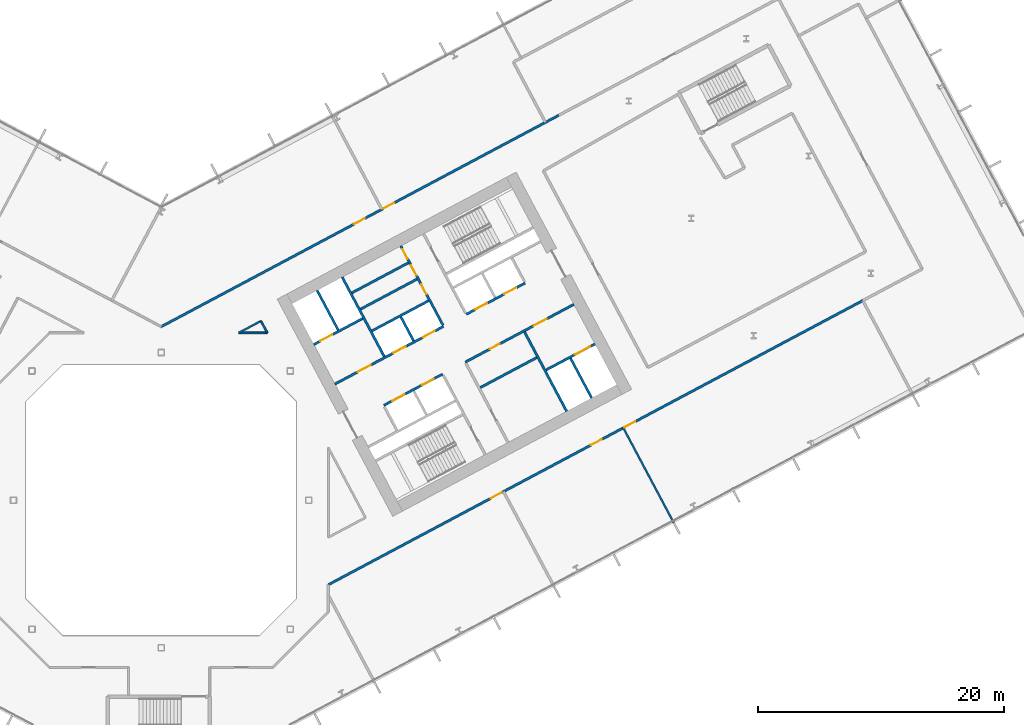
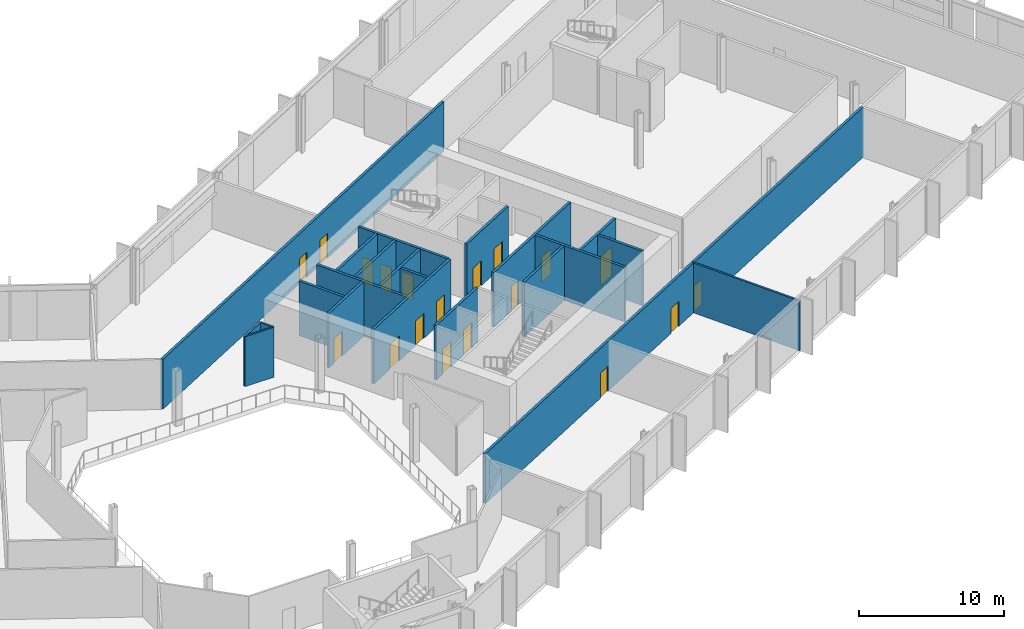
# One storey, part 17 of 30: 22 walls, 19 doors, 19 openings.
"""IFC4 building model written with IfcOpenShell, lengths in metres."""

from ifc_helpers import new_model, si_unit, direction, frame, frame_2d, origin, place, context, subcontext, project, spatial, rectangle, extrude, material, layer, layer_set, type_object, element, fill, save


model = new_model("IFC4")

# Units and contexts
model_context = context("Model", 3, precision=1e-05, world=origin(), true_north=direction((0.0, 1.0)))
body_context = subcontext(model_context, "Body", "Model", "MODEL_VIEW")
ifc_project = project(units=[si_unit("LENGTHUNIT", "METRE"), si_unit("AREAUNIT", "SQUARE_METRE"), si_unit("VOLUMEUNIT", "CUBIC_METRE"), si_unit("PLANEANGLEUNIT", "RADIAN"), si_unit("MASSUNIT", "GRAM", prefix="KILO")], contexts=[model_context])

# Site, building, storey
site_placement = place(None, origin())
site = spatial("IfcSite", under=ifc_project, at=site_placement, CompositionType="ELEMENT")
building_placement = place(site_placement, origin())
building = spatial("IfcBuilding", under=site, at=building_placement, Name="Cormorant Relay Tower", CompositionType="ELEMENT")
storey_placement = place(building_placement, frame((0.0, 0.0, 80.0)))
storey = spatial("IfcBuildingStorey", under=building, at=storey_placement, Name="L15", CompositionType="ELEMENT", Elevation=80.0)

# Walls
ifc_material_1 = material(Name="Concrete 40 MPa", Category="concrete")
ifc_layer_1 = layer(ifc_material_1, 0.199951171875)
ifc_layer_set_1 = layer_set([ifc_layer_1], Name="Core internal wall 200")
wall_type_1 = type_object("IfcWallType", Name="Core internal wall 200", PredefinedType="SOLIDWALL", material=ifc_layer_set_1)
wall_1_placement = place(storey_placement, frame((20.522216796875, 12.950439453125, 0.0), z_axis=(0.0, 0.0, 1.0), x_axis=(-0.469401318492, 0.882984938828, 0.0)))
element("IfcWall", 1, at=wall_1_placement, inside=storey, type_object=wall_type_1, Name="L15 core B shaft and room wall", PredefinedType="SOLIDWALL", context=body_context, shape_type="SweptSolid", body=[
    extrude(rectangle(XDim=2.199951171875, YDim=0.199951171875, at=frame_2d((1.10009765625, 0.0))), origin(), (0.0, 0.0, 1.0), 4.60009765625),
])
for number, where, z_axis, x_axis, name in (
    (2, (16.2080078125, 15.526611328125, 0.0), (0.0, 0.0, 1.0), (0.882953967957, 0.469459572775, 0.0), "L15 core B shaft and room wall"),
    (3, (15.503662109375, 16.85107421875, 0.0), (0.0, 0.0, 1.0), (0.882953967957, 0.469459572775, 0.0), "L15 core B shaft and room wall"),
):
    element("IfcWall", number, at=place(storey_placement, frame(where, z_axis=z_axis, x_axis=x_axis)), inside=storey, type_object=wall_type_1, Name=name, PredefinedType="SOLIDWALL", context=body_context, shape_type="SweptSolid", body=[
        extrude(rectangle(XDim=5.199951171875, YDim=0.199951171875, at=frame_2d((2.60009765625, 0.0))), origin(), (0.0, 0.0, 1.0), 4.60009765625),
    ])
ifc_material_2 = material(Name="Concrete 50 MPa", Category="concrete")
ifc_layer_2 = layer(ifc_material_2, 0.199951171875)
ifc_layer_set_2 = layer_set([ifc_layer_2], Name="Core shaft wall 200")
wall_type_2 = type_object("IfcWallType", Name="Core shaft wall 200", PredefinedType="SHEAR", material=ifc_layer_set_2)
wall_2_placement = place(storey_placement, frame((14.39404296875, 13.825927734375, 0.0), z_axis=(0.0, 0.0, 1.0), x_axis=(-0.469494272526, 0.882935517501, 0.0)))
element("IfcWall", 4, at=wall_2_placement, inside=storey, type_object=wall_type_2, Name="L15 core B shaft wall", PredefinedType="SHEAR", context=body_context, shape_type="SweptSolid", body=[
    extrude(rectangle(XDim=3.64990234375, YDim=0.199951171875, at=frame_2d((1.824951171875, 0.0))), origin(), (0.0, 0.0, 1.0), 4.60009765625),
])
wall_3_placement = place(storey_placement, frame((18.138427734375, 11.682861328125, 0.0), z_axis=(0.0, 0.0, 1.0), x_axis=(-0.469480409012, 0.88294288918, 0.0)))
element("IfcWall", 5, at=wall_3_placement, inside=storey, type_object=wall_type_2, Name="L15 core B shaft wall", PredefinedType="SHEAR", context=body_context, shape_type="SweptSolid", body=[
    extrude(rectangle(XDim=7.300048828125, YDim=0.199951171875, at=frame_2d((3.64990234375, 0.0))), origin(), (0.0, 0.0, 1.0), 4.60009765625),
])

# Wall, openings, doors
wall_4_placement = place(storey_placement, frame((22.90625, 14.218017578125, 0.0), z_axis=(0.0, 0.0, 1.0), x_axis=(-0.469480409012, 0.88294288918, 0.0)))
wall_4 = element("IfcWall", 6, at=wall_4_placement, inside=storey, type_object=wall_type_2, Name="L15 core B shaft wall", PredefinedType="SHEAR", context=body_context, shape_type="SweptSolid", body=[
    extrude(rectangle(XDim=7.300048828125, YDim=0.199951171875, at=frame_2d((3.64990234375, 0.0))), origin(), (0.0, 0.0, 1.0), 4.60009765625),
])
opening_1_placement = place(wall_4_placement, frame((2.85009765625, 0.0, 0.0)))
opening_1 = element("IfcOpeningElement", 7, at=opening_1_placement, cuts=wall_4, Name="Opening CDD-134", PredefinedType="OPENING", context=body_context, shape_type="SweptSolid", body=[
    extrude(rectangle(XDim=0.89990234375, YDim=2.10009765625, at=frame_2d((0.449951171875, 1.050048828125))), frame((0.0, 0.10986328125, 0.0), z_axis=(0.0, -1.0, 0.0), x_axis=(1.0, 0.0, 0.0)), (0.0, 0.0, 1.0), 0.219970703125),
])
opening_2_placement = place(wall_4_placement, frame((4.60009765625, 0.0, 0.0)))
opening_2 = element("IfcOpeningElement", 8, at=opening_2_placement, cuts=wall_4, Name="Opening CDD-135", PredefinedType="OPENING", context=body_context, shape_type="SweptSolid", body=[
    extrude(rectangle(XDim=0.89990234375, YDim=2.10009765625, at=frame_2d((0.449951171875, 1.050048828125))), frame((0.0, 0.10986328125, 0.0), z_axis=(0.0, -1.0, 0.0), x_axis=(1.0, 0.0, 0.0)), (0.0, 0.0, 1.0), 0.219970703125),
])
opening_3_placement = place(wall_4_placement, frame((6.10009765625, 0.0, 0.0)))
opening_3 = element("IfcOpeningElement", 9, at=opening_3_placement, cuts=wall_4, Name="Opening CDD-136", PredefinedType="OPENING", context=body_context, shape_type="SweptSolid", body=[
    extrude(rectangle(XDim=0.89990234375, YDim=2.10009765625, at=frame_2d((0.449951171875, 1.050048828125))), frame((0.0, 0.10986328125, 0.0), z_axis=(0.0, -1.0, 0.0), x_axis=(1.0, 0.0, 0.0)), (0.0, 0.0, 1.0), 0.219970703125),
])
ifc_material_3 = material(Name="Steel fire door", Category="steel")
door_type_1 = type_object("IfcDoorType", Name="Core room door 900x2100", OperationType="SINGLE_SWING_LEFT", PredefinedType="DOOR", material=ifc_material_3)
door_1_placement = place(opening_1_placement, origin())
door_1 = element("IfcDoor", 10, at=door_1_placement, inside=storey, type_object=door_type_1, Name="Core room door 900x2100", OperationType="SINGLE_SWING_RIGHT", OverallHeight=2.10009765625, OverallWidth=0.89990234375, PredefinedType="DOOR", context=body_context, shape_type="SweptSolid", body=[
    extrude(rectangle(XDim=0.89990234375, YDim=2.10009765625, at=frame_2d((0.449951171875, 1.050048828125))), frame((0.0, 0.02490234375, 0.0), z_axis=(0.0, -1.0, 0.0), x_axis=(1.0, 0.0, 0.0)), (0.0, 0.0, 1.0), 0.050048828125),
])
fill(opening_1, door_1)
door_2_placement = place(opening_2_placement, origin())
door_2 = element("IfcDoor", 11, at=door_2_placement, inside=storey, type_object=door_type_1, Name="Core room door 900x2100", OperationType="SINGLE_SWING_LEFT", OverallHeight=2.10009765625, OverallWidth=0.89990234375, PredefinedType="DOOR", context=body_context, shape_type="SweptSolid", body=[
    extrude(rectangle(XDim=0.89990234375, YDim=2.10009765625, at=frame_2d((0.449951171875, 1.050048828125))), frame((0.0, 0.02490234375, 0.0), z_axis=(0.0, -1.0, 0.0), x_axis=(1.0, 0.0, 0.0)), (0.0, 0.0, 1.0), 0.050048828125),
])
fill(opening_2, door_2)
door_3_placement = place(opening_3_placement, origin())
door_3 = element("IfcDoor", 12, at=door_3_placement, inside=storey, type_object=door_type_1, Name="Core room door 900x2100", OperationType="SINGLE_SWING_LEFT", OverallHeight=2.10009765625, OverallWidth=0.89990234375, PredefinedType="DOOR", context=body_context, shape_type="SweptSolid", body=[
    extrude(rectangle(XDim=0.89990234375, YDim=2.10009765625, at=frame_2d((0.449951171875, 1.050048828125))), frame((0.0, 0.02490234375, 0.0), z_axis=(0.0, -1.0, 0.0), x_axis=(1.0, 0.0, 0.0)), (0.0, 0.0, 1.0), 0.050048828125),
])
fill(opening_3, door_3)

# Walls
wall_5_placement = place(storey_placement, frame((32.968017578125, 7.222900390625, 0.0), z_axis=(0.0, 0.0, 1.0), x_axis=(-0.469480409012, 0.88294288918, 0.0)))
element("IfcWall", 13, at=wall_5_placement, inside=storey, type_object=wall_type_2, Name="L15 core B shaft wall", PredefinedType="SHEAR", context=body_context, shape_type="SweptSolid", body=[
    extrude(rectangle(XDim=7.300048828125, YDim=0.199951171875, at=frame_2d((3.64990234375, 0.0))), origin(), (0.0, 0.0, 1.0), 4.60009765625),
])
wall_6_placement = place(storey_placement, frame((34.998779296875, 8.302734375, 0.0), z_axis=(0.0, 0.0, 1.0), x_axis=(-0.4694665462, 0.882950260207, 0.0)))
element("IfcWall", 14, at=wall_6_placement, inside=storey, type_object=wall_type_2, Name="L15 core B shaft wall", PredefinedType="SHEAR", context=body_context, shape_type="SweptSolid", body=[
    extrude(rectangle(XDim=3.650146484375, YDim=0.199951171875, at=frame_2d((1.8251953125, 0.0))), origin(), (0.0, 0.0, 1.0), 4.60009765625),
])

# Wall, opening, door
wall_7_placement = place(storey_placement, frame((31.295654296875, 10.5810546875, 0.0), z_axis=(0.0, 0.0, 1.0), x_axis=(0.882960433586, 0.469447412093, 0.0)))
wall_7 = element("IfcWall", 15, at=wall_7_placement, inside=storey, type_object=wall_type_2, Name="L15 core B shaft wall", PredefinedType="SHEAR", context=body_context, shape_type="SweptSolid", body=[
    extrude(rectangle(XDim=4.5, YDim=0.199951171875, at=frame_2d((2.25, 0.0))), origin(), (0.0, 0.0, 1.0), 4.60009765625),
])
opening_4_placement = place(wall_7_placement, frame((2.64990234375, 0.0, 0.0)))
opening_4 = element("IfcOpeningElement", 16, at=opening_4_placement, cuts=wall_7, Name="Opening LD3-010", PredefinedType="OPENING", context=body_context, shape_type="SweptSolid", body=[
    extrude(rectangle(XDim=1.39990234375, YDim=2.39990234375, at=frame_2d((0.699951171875, 1.199951171875))), frame((0.0, 0.10986328125, 0.0), z_axis=(0.0, -1.0, 0.0), x_axis=(1.0, 0.0, 0.0)), (0.0, 0.0, 1.0), 0.219970703125),
])
ifc_material_4 = material(Name="Stainless steel 316", Category="steel")
door_type_2 = type_object("IfcDoorType", Name="Lift landing door 1400x2400", OperationType="DOUBLE_DOOR_SLIDING", PredefinedType="DOOR", material=ifc_material_4)
door_4_placement = place(opening_4_placement, origin())
door_4 = element("IfcDoor", 17, at=door_4_placement, inside=storey, type_object=door_type_2, Name="SV2 landing door", OperationType="DOUBLE_DOOR_SLIDING", OverallHeight=2.39990234375, OverallWidth=1.39990234375, PredefinedType="DOOR", context=body_context, shape_type="SweptSolid", body=[
    extrude(rectangle(XDim=1.39990234375, YDim=2.39990234375, at=frame_2d((0.699951171875, 1.199951171875))), frame((0.0, 0.02490234375, 0.0), z_axis=(0.0, -1.0, 0.0), x_axis=(1.0, 0.0, 0.0)), (0.0, 0.0, 1.0), 0.050048828125),
])
fill(opening_4, door_4)

# Wall
wall_8_placement = place(storey_placement, frame((25.94091796875, 9.149658203125, 0.0), z_axis=(0.0, 0.0, 1.0), x_axis=(0.882953967957, 0.469459572775, 0.0)))
element("IfcWall", 18, at=wall_8_placement, inside=storey, type_object=wall_type_2, Name="L15 core B shaft wall", PredefinedType="SHEAR", context=body_context, shape_type="SweptSolid", body=[
    extrude(rectangle(XDim=5.199951171875, YDim=0.199951171875, at=frame_2d((2.60009765625, 0.0))), origin(), (0.0, 0.0, 1.0), 4.60009765625),
])

# Wall, openings, doors
wall_9_placement = place(storey_placement, frame((18.103759765625, 7.70068359375, 0.0), z_axis=(0.0, 0.0, 1.0), x_axis=(0.882952937579, 0.469461510692, 0.0)))
wall_9 = element("IfcWall", 19, at=wall_9_placement, inside=storey, type_object=wall_type_2, Name="L15 core B shaft wall", PredefinedType="SHEAR", context=body_context, shape_type="SweptSolid", body=[
    extrude(rectangle(XDim=5.400146484375, YDim=0.199951171875, at=frame_2d((2.7001953125, 0.0))), origin(), (0.0, 0.0, 1.0), 4.60009765625),
])
opening_5_placement = place(wall_9_placement, frame((0.800048828125, 0.0, 0.0)))
opening_5 = element("IfcOpeningElement", 20, at=opening_5_placement, cuts=wall_9, Name="Opening LD1-032", PredefinedType="OPENING", context=body_context, shape_type="SweptSolid", body=[
    extrude(rectangle(XDim=1.10009765625, YDim=2.10009765625, at=frame_2d((0.550048828125, 1.050048828125))), frame((0.0, 0.10986328125, 0.0), z_axis=(0.0, -1.0, 0.0), x_axis=(1.0, 0.0, 0.0)), (0.0, 0.0, 1.0), 0.219970703125),
])
opening_6_placement = place(wall_9_placement, frame((3.5, 0.0, 0.0)))
opening_6 = element("IfcOpeningElement", 21, at=opening_6_placement, cuts=wall_9, Name="Opening LD1-033", PredefinedType="OPENING", context=body_context, shape_type="SweptSolid", body=[
    extrude(rectangle(XDim=1.10009765625, YDim=2.10009765625, at=frame_2d((0.550048828125, 1.050048828125))), frame((0.0, 0.10986328125, 0.0), z_axis=(0.0, -1.0, 0.0), x_axis=(1.0, 0.0, 0.0)), (0.0, 0.0, 1.0), 0.219970703125),
])
ifc_material_5 = material(Name="Stainless steel 316", Category="steel")
door_type_3 = type_object("IfcDoorType", Name="Lift landing door 1100x2100", OperationType="DOUBLE_DOOR_SLIDING", PredefinedType="DOOR", material=ifc_material_5)
door_5_placement = place(opening_5_placement, origin())
door_5 = element("IfcDoor", 22, at=door_5_placement, inside=storey, type_object=door_type_3, Name="LR5 landing door", OperationType="DOUBLE_DOOR_SLIDING", OverallHeight=2.10009765625, OverallWidth=1.10009765625, PredefinedType="DOOR", context=body_context, shape_type="SweptSolid", body=[
    extrude(rectangle(XDim=1.10009765625, YDim=2.10009765625, at=frame_2d((0.550048828125, 1.050048828125))), frame((0.0, 0.02490234375, 0.0), z_axis=(0.0, -1.0, 0.0), x_axis=(1.0, 0.0, 0.0)), (0.0, 0.0, 1.0), 0.050048828125),
])
fill(opening_5, door_5)
door_6_placement = place(opening_6_placement, origin())
door_6 = element("IfcDoor", 23, at=door_6_placement, inside=storey, type_object=door_type_3, Name="LR6 landing door", OperationType="DOUBLE_DOOR_SLIDING", OverallHeight=2.10009765625, OverallWidth=1.10009765625, PredefinedType="DOOR", context=body_context, shape_type="SweptSolid", body=[
    extrude(rectangle(XDim=1.10009765625, YDim=2.10009765625, at=frame_2d((0.550048828125, 1.050048828125))), frame((0.0, 0.02490234375, 0.0), z_axis=(0.0, -1.0, 0.0), x_axis=(1.0, 0.0, 0.0)), (0.0, 0.0, 1.0), 0.050048828125),
])
fill(opening_6, door_6)

wall_10_placement = place(storey_placement, frame((24.72607421875, 11.2216796875, 0.0), z_axis=(0.0, 0.0, 1.0), x_axis=(0.882940221191, 0.469485426614, 0.0)))
wall_10 = element("IfcWall", 24, at=wall_10_placement, inside=storey, type_object=wall_type_2, Name="L15 core B shaft wall", PredefinedType="SHEAR", context=body_context, shape_type="SweptSolid", body=[
    extrude(rectangle(XDim=10.0, YDim=0.199951171875, at=frame_2d((5.0, 0.0))), origin(), (0.0, 0.0, 1.0), 4.60009765625),
])
opening_7_placement = place(wall_10_placement, frame((6.300048828125, 0.0, 0.0)))
opening_7 = element("IfcOpeningElement", 25, at=opening_7_placement, cuts=wall_10, Name="Opening CDC-020", PredefinedType="OPENING", context=body_context, shape_type="SweptSolid", body=[
    extrude(rectangle(XDim=1.199951171875, YDim=2.10009765625, at=frame_2d((0.60009765625, 1.050048828125))), frame((0.0, 0.10986328125, 0.0), z_axis=(0.0, -1.0, 0.0), x_axis=(1.0, 0.0, 0.0)), (0.0, 0.0, 1.0), 0.219970703125),
])
opening_8_placement = place(wall_10_placement, frame((2.25, 0.0, 0.0)))
opening_8 = element("IfcOpeningElement", 26, at=opening_8_placement, cuts=wall_10, Name="Opening CDD-133", PredefinedType="OPENING", context=body_context, shape_type="SweptSolid", body=[
    extrude(rectangle(XDim=0.89990234375, YDim=2.10009765625, at=frame_2d((0.449951171875, 1.050048828125))), frame((0.0, 0.10986328125, 0.0), z_axis=(0.0, -1.0, 0.0), x_axis=(1.0, 0.0, 0.0)), (0.0, 0.0, 1.0), 0.219970703125),
])
ifc_material_6 = material(Name="Steel fire door", Category="steel")
door_type_4 = type_object("IfcDoorType", Name="Core lobby door 1200x2100", OperationType="SINGLE_SWING_LEFT", PredefinedType="DOOR", material=ifc_material_6)
door_7_placement = place(opening_7_placement, frame((1.199951171875, 0.0, 0.0), z_axis=(0.0, 0.0, 1.0), x_axis=(-1.0, 0.0, 0.0)))
door_7 = element("IfcDoor", 27, at=door_7_placement, inside=storey, type_object=door_type_4, Name="Core lobby door 1200x2100", OperationType="SINGLE_SWING_RIGHT", OverallHeight=2.10009765625, OverallWidth=1.199951171875, PredefinedType="DOOR", context=body_context, shape_type="SweptSolid", body=[
    extrude(rectangle(XDim=1.199951171875, YDim=2.10009765625, at=frame_2d((0.60009765625, 1.050048828125))), frame((0.0, 0.02490234375, 0.0), z_axis=(0.0, -1.0, 0.0), x_axis=(1.0, 0.0, 0.0)), (0.0, 0.0, 1.0), 0.050048828125),
])
fill(opening_7, door_7)
door_8_placement = place(opening_8_placement, frame((0.89990234375, 0.0, 0.0), z_axis=(0.0, 0.0, 1.0), x_axis=(-1.0, 0.0, 0.0)))
door_8 = element("IfcDoor", 28, at=door_8_placement, inside=storey, type_object=door_type_1, Name="Core room door 900x2100", OperationType="SINGLE_SWING_RIGHT", OverallHeight=2.10009765625, OverallWidth=0.89990234375, PredefinedType="DOOR", context=body_context, shape_type="SweptSolid", body=[
    extrude(rectangle(XDim=0.89990234375, YDim=2.10009765625, at=frame_2d((0.449951171875, 1.050048828125))), frame((0.0, 0.02490234375, 0.0), z_axis=(0.0, -1.0, 0.0), x_axis=(1.0, 0.0, 0.0)), (0.0, 0.0, 1.0), 0.050048828125),
])
fill(opening_8, door_8)

wall_11_placement = place(storey_placement, frame((14.123779296875, 9.43505859375, 0.0), z_axis=(0.0, 0.0, 1.0), x_axis=(0.882940221191, 0.469485426614, 0.0)))
wall_11 = element("IfcWall", 29, at=wall_11_placement, inside=storey, type_object=wall_type_2, Name="L15 core B shaft wall", PredefinedType="SHEAR", context=body_context, shape_type="SweptSolid", body=[
    extrude(rectangle(XDim=10.0, YDim=0.199951171875, at=frame_2d((5.0, 0.0))), origin(), (0.0, 0.0, 1.0), 4.60009765625),
])
opening_9_placement = place(wall_11_placement, frame((2.10009765625, 0.0, 0.0)))
opening_9 = element("IfcOpeningElement", 30, at=opening_9_placement, cuts=wall_11, Name="Opening CDC-019", PredefinedType="OPENING", context=body_context, shape_type="SweptSolid", body=[
    extrude(rectangle(XDim=1.199951171875, YDim=2.10009765625, at=frame_2d((0.60009765625, 1.050048828125))), frame((0.0, 0.10986328125, 0.0), z_axis=(0.0, -1.0, 0.0), x_axis=(1.0, 0.0, 0.0)), (0.0, 0.0, 1.0), 0.219970703125),
])
opening_10_placement = place(wall_11_placement, frame((5.39990234375, 0.0, 0.0)))
opening_10 = element("IfcOpeningElement", 31, at=opening_10_placement, cuts=wall_11, Name="Opening LD1-028", PredefinedType="OPENING", context=body_context, shape_type="SweptSolid", body=[
    extrude(rectangle(XDim=1.10009765625, YDim=2.10009765625, at=frame_2d((0.550048828125, 1.050048828125))), frame((0.0, 0.10986328125, 0.0), z_axis=(0.0, -1.0, 0.0), x_axis=(1.0, 0.0, 0.0)), (0.0, 0.0, 1.0), 0.219970703125),
])
opening_11_placement = place(wall_11_placement, frame((8.10009765625, 0.0, 0.0)))
opening_11 = element("IfcOpeningElement", 32, at=opening_11_placement, cuts=wall_11, Name="Opening LD1-029", PredefinedType="OPENING", context=body_context, shape_type="SweptSolid", body=[
    extrude(rectangle(XDim=1.10009765625, YDim=2.10009765625, at=frame_2d((0.550048828125, 1.050048828125))), frame((0.0, 0.10986328125, 0.0), z_axis=(0.0, -1.0, 0.0), x_axis=(1.0, 0.0, 0.0)), (0.0, 0.0, 1.0), 0.219970703125),
])
door_9_placement = place(opening_9_placement, origin())
door_9 = element("IfcDoor", 33, at=door_9_placement, inside=storey, type_object=door_type_4, Name="Core lobby door 1200x2100", OperationType="SINGLE_SWING_RIGHT", OverallHeight=2.10009765625, OverallWidth=1.199951171875, PredefinedType="DOOR", context=body_context, shape_type="SweptSolid", body=[
    extrude(rectangle(XDim=1.199951171875, YDim=2.10009765625, at=frame_2d((0.60009765625, 1.050048828125))), frame((0.0, 0.02490234375, 0.0), z_axis=(0.0, -1.0, 0.0), x_axis=(1.0, 0.0, 0.0)), (0.0, 0.0, 1.0), 0.050048828125),
])
fill(opening_9, door_9)
door_10_placement = place(opening_10_placement, origin())
door_10 = element("IfcDoor", 34, at=door_10_placement, inside=storey, type_object=door_type_3, Name="LR1 landing door", OperationType="DOUBLE_DOOR_SLIDING", OverallHeight=2.10009765625, OverallWidth=1.10009765625, PredefinedType="DOOR", context=body_context, shape_type="SweptSolid", body=[
    extrude(rectangle(XDim=1.10009765625, YDim=2.10009765625, at=frame_2d((0.550048828125, 1.050048828125))), frame((0.0, 0.02490234375, 0.0), z_axis=(0.0, -1.0, 0.0), x_axis=(1.0, 0.0, 0.0)), (0.0, 0.0, 1.0), 0.050048828125),
])
fill(opening_10, door_10)
door_11_placement = place(opening_11_placement, origin())
door_11 = element("IfcDoor", 35, at=door_11_placement, inside=storey, type_object=door_type_3, Name="LR2 landing door", OperationType="DOUBLE_DOOR_SLIDING", OverallHeight=2.10009765625, OverallWidth=1.10009765625, PredefinedType="DOOR", context=body_context, shape_type="SweptSolid", body=[
    extrude(rectangle(XDim=1.10009765625, YDim=2.10009765625, at=frame_2d((0.550048828125, 1.050048828125))), frame((0.0, 0.02490234375, 0.0), z_axis=(0.0, -1.0, 0.0), x_axis=(1.0, 0.0, 0.0)), (0.0, 0.0, 1.0), 0.050048828125),
])
fill(opening_11, door_11)

wall_12_placement = place(storey_placement, frame((24.807373046875, 15.11572265625, 0.0), z_axis=(0.0, 0.0, 1.0), x_axis=(0.882942972946, 0.469480251476, 0.0)))
wall_12 = element("IfcWall", 36, at=wall_12_placement, inside=storey, type_object=wall_type_2, Name="L15 core B shaft wall", PredefinedType="SHEAR", context=body_context, shape_type="SweptSolid", body=[
    extrude(rectangle(XDim=5.39990234375, YDim=0.199951171875, at=frame_2d((2.699951171875, 0.0))), origin(), (0.0, 0.0, 1.0), 4.60009765625),
])
opening_12_placement = place(wall_12_placement, frame((0.800048828125, 0.0, 0.0)))
opening_12 = element("IfcOpeningElement", 37, at=opening_12_placement, cuts=wall_12, Name="Opening LD1-030", PredefinedType="OPENING", context=body_context, shape_type="SweptSolid", body=[
    extrude(rectangle(XDim=1.10009765625, YDim=2.10009765625, at=frame_2d((0.550048828125, 1.050048828125))), frame((0.0, 0.10986328125, 0.0), z_axis=(0.0, -1.0, 0.0), x_axis=(1.0, 0.0, 0.0)), (0.0, 0.0, 1.0), 0.219970703125),
])
opening_13_placement = place(wall_12_placement, frame((3.5, 0.0, 0.0)))
opening_13 = element("IfcOpeningElement", 38, at=opening_13_placement, cuts=wall_12, Name="Opening LD1-031", PredefinedType="OPENING", context=body_context, shape_type="SweptSolid", body=[
    extrude(rectangle(XDim=1.10009765625, YDim=2.10009765625, at=frame_2d((0.550048828125, 1.050048828125))), frame((0.0, 0.10986328125, 0.0), z_axis=(0.0, -1.0, 0.0), x_axis=(1.0, 0.0, 0.0)), (0.0, 0.0, 1.0), 0.219970703125),
])
door_12_placement = place(opening_12_placement, origin())
door_12 = element("IfcDoor", 39, at=door_12_placement, inside=storey, type_object=door_type_3, Name="LR3 landing door", OperationType="DOUBLE_DOOR_SLIDING", OverallHeight=2.10009765625, OverallWidth=1.10009765625, PredefinedType="DOOR", context=body_context, shape_type="SweptSolid", body=[
    extrude(rectangle(XDim=1.10009765625, YDim=2.10009765625, at=frame_2d((0.550048828125, 1.050048828125))), frame((0.0, 0.02490234375, 0.0), z_axis=(0.0, -1.0, 0.0), x_axis=(1.0, 0.0, 0.0)), (0.0, 0.0, 1.0), 0.050048828125),
])
fill(opening_12, door_12)
door_13_placement = place(opening_13_placement, origin())
door_13 = element("IfcDoor", 40, at=door_13_placement, inside=storey, type_object=door_type_3, Name="LR4 landing door", OperationType="DOUBLE_DOOR_SLIDING", OverallHeight=2.10009765625, OverallWidth=1.10009765625, PredefinedType="DOOR", context=body_context, shape_type="SweptSolid", body=[
    extrude(rectangle(XDim=1.10009765625, YDim=2.10009765625, at=frame_2d((0.550048828125, 1.050048828125))), frame((0.0, 0.02490234375, 0.0), z_axis=(0.0, -1.0, 0.0), x_axis=(1.0, 0.0, 0.0)), (0.0, 0.0, 1.0), 0.050048828125),
])
fill(opening_13, door_13)

# Wall
wall_13_placement = place(storey_placement, frame((17.146728515625, 13.7607421875, 0.0), z_axis=(0.0, 0.0, 1.0), x_axis=(0.882964314875, 0.469440111896, 0.0)))
element("IfcWall", 41, at=wall_13_placement, inside=storey, type_object=wall_type_2, Name="L15 core B shaft wall", PredefinedType="SHEAR", context=body_context, shape_type="SweptSolid", body=[
    extrude(rectangle(XDim=5.2001953125, YDim=0.199951171875, at=frame_2d((2.60009765625, 0.0))), origin(), (0.0, 0.0, 1.0), 4.60009765625),
])

# Wall, opening, door
wall_14_placement = place(storey_placement, frame((12.41015625, 12.657958984375, 0.0), z_axis=(0.0, 0.0, 1.0), x_axis=(0.8829484765, 0.469469900894, 0.0)))
wall_14 = element("IfcWall", 42, at=wall_14_placement, inside=storey, type_object=wall_type_2, Name="L15 core B shaft wall", PredefinedType="SHEAR", context=body_context, shape_type="SweptSolid", body=[
    extrude(rectangle(XDim=4.499755859375, YDim=0.199951171875, at=frame_2d((2.25, 0.0))), origin(), (0.0, 0.0, 1.0), 4.60009765625),
])
opening_14_placement = place(wall_14_placement, frame((0.60009765625, 0.0, 0.0)))
opening_14 = element("IfcOpeningElement", 43, at=opening_14_placement, cuts=wall_14, Name="Opening LD1-034", PredefinedType="OPENING", context=body_context, shape_type="SweptSolid", body=[
    extrude(rectangle(XDim=1.10009765625, YDim=2.10009765625, at=frame_2d((0.550048828125, 1.050048828125))), frame((0.0, 0.10986328125, 0.0), z_axis=(0.0, -1.0, 0.0), x_axis=(1.0, 0.0, 0.0)), (0.0, 0.0, 1.0), 0.219970703125),
])
door_14_placement = place(opening_14_placement, origin())
door_14 = element("IfcDoor", 44, at=door_14_placement, inside=storey, type_object=door_type_3, Name="FF2 landing door", OperationType="DOUBLE_DOOR_SLIDING", OverallHeight=2.10009765625, OverallWidth=1.10009765625, PredefinedType="DOOR", context=body_context, shape_type="SweptSolid", body=[
    extrude(rectangle(XDim=1.10009765625, YDim=2.10009765625, at=frame_2d((0.550048828125, 1.050048828125))), frame((0.0, 0.02490234375, 0.0), z_axis=(0.0, -1.0, 0.0), x_axis=(1.0, 0.0, 0.0)), (0.0, 0.0, 1.0), 0.050048828125),
])
fill(opening_14, door_14)

# Wall, openings, doors
ifc_material_7 = material(Name="Fire-rated gypsum board partition")
ifc_layer_3 = layer(ifc_material_7, 0.199951171875)
ifc_layer_set_3 = layer_set([ifc_layer_3], Name="Fire-rated gypsum partition 200")
wall_type_3 = type_object("IfcWallType", Name="Fire-rated gypsum partition 200", PredefinedType="PARTITIONING", material=ifc_layer_set_3)
wall_15_placement = place(storey_placement, frame((0.0, 14.10009765625, 0.0), z_axis=(0.0, 0.0, 1.0), x_axis=(0.882942713919, 0.469480738623, 0.0)))
wall_15 = element("IfcWall", 45, at=wall_15_placement, inside=storey, type_object=wall_type_3, Name="wall/L15/part/38", PredefinedType="PARTITIONING", context=body_context, shape_type="SweptSolid", body=[
    extrude(rectangle(XDim=36.59130859375, YDim=0.199951171875, at=frame_2d((18.295654296875, 0.0))), origin(), (0.0, 0.0, 1.0), 4.199951171875),
])
opening_15_placement = place(wall_15_placement, frame((20.449951171875, 0.0, 0.0)))
opening_15 = element("IfcOpeningElement", 46, at=opening_15_placement, cuts=wall_15, Name="Opening FD1-100", PredefinedType="OPENING", context=body_context, shape_type="SweptSolid", body=[
    extrude(rectangle(XDim=1.0, YDim=2.10009765625, at=frame_2d((0.5, 1.050048828125))), frame((0.0, 0.10986328125, 0.0), z_axis=(0.0, -1.0, 0.0), x_axis=(1.0, 0.0, 0.0)), (0.0, 0.0, 1.0), 0.219970703125),
])
opening_16_placement = place(wall_15_placement, frame((17.75, 0.0, 0.0)))
opening_16 = element("IfcOpeningElement", 47, at=opening_16_placement, cuts=wall_15, Name="Opening FD1-093", PredefinedType="OPENING", context=body_context, shape_type="SweptSolid", body=[
    extrude(rectangle(XDim=1.0, YDim=2.10009765625, at=frame_2d((0.5, 1.050048828125))), frame((0.0, 0.10986328125, 0.0), z_axis=(0.0, -1.0, 0.0), x_axis=(1.0, 0.0, 0.0)), (0.0, 0.0, 1.0), 0.219970703125),
])
ifc_material_8 = material(Name="Fire-rated steel door", Category="steel")
door_type_5 = type_object("IfcDoorType", Name="Fire door 1000 x 2100", OperationType="SINGLE_SWING_LEFT", PredefinedType="DOOR", material=ifc_material_8)
door_15_placement = place(opening_15_placement, origin())
door_15 = element("IfcDoor", 48, at=door_15_placement, inside=storey, type_object=door_type_5, Name="door/L15/9", OperationType="SINGLE_SWING_LEFT", OverallHeight=2.10009765625, OverallWidth=1.0, PredefinedType="DOOR", context=body_context, shape_type="SweptSolid", body=[
    extrude(rectangle(XDim=1.0, YDim=2.10009765625, at=frame_2d((0.5, 1.050048828125))), frame((0.0, 0.02490234375, 0.0), z_axis=(0.0, -1.0, 0.0), x_axis=(1.0, 0.0, 0.0)), (0.0, 0.0, 1.0), 0.050048828125),
])
fill(opening_15, door_15)
door_16_placement = place(opening_16_placement, origin())
door_16 = element("IfcDoor", 49, at=door_16_placement, inside=storey, type_object=door_type_5, Name="door/L15/10", OperationType="SINGLE_SWING_LEFT", OverallHeight=2.10009765625, OverallWidth=1.0, PredefinedType="DOOR", context=body_context, shape_type="SweptSolid", body=[
    extrude(rectangle(XDim=1.0, YDim=2.10009765625, at=frame_2d((0.5, 1.050048828125))), frame((0.0, 0.02490234375, 0.0), z_axis=(0.0, -1.0, 0.0), x_axis=(1.0, 0.0, 0.0)), (0.0, 0.0, 1.0), 0.050048828125),
])
fill(opening_16, door_16)

wall_16_placement = place(storey_placement, frame((57.041015625, 16.22900390625, 0.0), z_axis=(0.0, 0.0, 1.0), x_axis=(-0.882947975476, -0.469470843188, 0.0)))
wall_16 = element("IfcWall", 50, at=wall_16_placement, inside=storey, type_object=wall_type_3, Name="wall/L15/part/57", PredefinedType="PARTITIONING", context=body_context, shape_type="SweptSolid", body=[
    extrude(rectangle(XDim=49.199951171875, YDim=0.199951171875, at=frame_2d((24.60009765625, 0.0))), origin(), (0.0, 0.0, 1.0), 4.199951171875),
])
opening_17_placement = place(wall_16_placement, frame((33.25, 0.0, 0.0)))
opening_17 = element("IfcOpeningElement", 51, at=opening_17_placement, cuts=wall_16, Name="Opening FD1-095", PredefinedType="OPENING", context=body_context, shape_type="SweptSolid", body=[
    extrude(rectangle(XDim=1.0, YDim=2.10009765625, at=frame_2d((0.5, 1.050048828125))), frame((0.0, 0.10986328125, 0.0), z_axis=(0.0, -1.0, 0.0), x_axis=(1.0, 0.0, 0.0)), (0.0, 0.0, 1.0), 0.219970703125),
])
opening_18_placement = place(wall_16_placement, frame((24.050048828125, 0.0, 0.0)))
opening_18 = element("IfcOpeningElement", 52, at=opening_18_placement, cuts=wall_16, Name="Opening FD1-096", PredefinedType="OPENING", context=body_context, shape_type="SweptSolid", body=[
    extrude(rectangle(XDim=1.0, YDim=2.10009765625, at=frame_2d((0.5, 1.050048828125))), frame((0.0, 0.10986328125, 0.0), z_axis=(0.0, -1.0, 0.0), x_axis=(1.0, 0.0, 0.0)), (0.0, 0.0, 1.0), 0.219970703125),
])
opening_19_placement = place(wall_16_placement, frame((20.949951171875, 0.0, 0.0)))
opening_19 = element("IfcOpeningElement", 53, at=opening_19_placement, cuts=wall_16, Name="Opening FD1-097", PredefinedType="OPENING", context=body_context, shape_type="SweptSolid", body=[
    extrude(rectangle(XDim=1.0, YDim=2.10009765625, at=frame_2d((0.5, 1.050048828125))), frame((0.0, 0.10986328125, 0.0), z_axis=(0.0, -1.0, 0.0), x_axis=(1.0, 0.0, 0.0)), (0.0, 0.0, 1.0), 0.219970703125),
])
door_17_placement = place(opening_17_placement, origin())
door_17 = element("IfcDoor", 54, at=door_17_placement, inside=storey, type_object=door_type_5, Name="door/L15/4", OperationType="SINGLE_SWING_LEFT", OverallHeight=2.10009765625, OverallWidth=1.0, PredefinedType="DOOR", context=body_context, shape_type="SweptSolid", body=[
    extrude(rectangle(XDim=1.0, YDim=2.10009765625, at=frame_2d((0.5, 1.050048828125))), frame((0.0, 0.02490234375, 0.0), z_axis=(0.0, -1.0, 0.0), x_axis=(1.0, 0.0, 0.0)), (0.0, 0.0, 1.0), 0.050048828125),
])
fill(opening_17, door_17)
door_18_placement = place(opening_18_placement, origin())
door_18 = element("IfcDoor", 55, at=door_18_placement, inside=storey, type_object=door_type_5, Name="door/L15/5", OperationType="SINGLE_SWING_RIGHT", OverallHeight=2.10009765625, OverallWidth=1.0, PredefinedType="DOOR", context=body_context, shape_type="SweptSolid", body=[
    extrude(rectangle(XDim=1.0, YDim=2.10009765625, at=frame_2d((0.5, 1.050048828125))), frame((0.0, 0.02490234375, 0.0), z_axis=(0.0, -1.0, 0.0), x_axis=(1.0, 0.0, 0.0)), (0.0, 0.0, 1.0), 0.050048828125),
])
fill(opening_18, door_18)
door_19_placement = place(opening_19_placement, origin())
door_19 = element("IfcDoor", 56, at=door_19_placement, inside=storey, type_object=door_type_5, Name="door/L15/6", OperationType="SINGLE_SWING_RIGHT", OverallHeight=2.10009765625, OverallWidth=1.0, PredefinedType="DOOR", context=body_context, shape_type="SweptSolid", body=[
    extrude(rectangle(XDim=1.0, YDim=2.10009765625, at=frame_2d((0.5, 1.050048828125))), frame((0.0, 0.02490234375, 0.0), z_axis=(0.0, -1.0, 0.0), x_axis=(1.0, 0.0, 0.0)), (0.0, 0.0, 1.0), 0.050048828125),
])
fill(opening_19, door_19)

# Walls
ifc_material_9 = material(Name="Gypsum board partition")
ifc_layer_4 = layer(ifc_material_9, 0.14990234375)
ifc_layer_set_4 = layer_set([ifc_layer_4], Name="Gypsum board partition 150")
wall_type_4 = type_object("IfcWallType", Name="Gypsum board partition 150", PredefinedType="PARTITIONING", material=ifc_layer_set_4)
wall_17_placement = place(storey_placement, frame((37.568115234375, 5.875, 0.0), z_axis=(0.0, 0.0, 1.0), x_axis=(0.469461194384, -0.882953105758, 0.0)))
element("IfcWall", 57, at=wall_17_placement, inside=storey, type_object=wall_type_4, Name="wall/L15/part/63", PredefinedType="PARTITIONING", context=body_context, shape_type="SweptSolid", body=[
    extrude(rectangle(XDim=8.750244140625, YDim=0.14990234375, at=frame_2d((4.375, 0.0))), origin(), (0.0, 0.0, 1.0), 4.199951171875),
])
wall_18_placement = place(storey_placement, frame((8.625, 13.60009765625, 0.0), z_axis=(0.0, 0.0, 1.0), x_axis=(-0.469460742142, 0.882953346212, 0.0)))
element("IfcWall", 58, at=wall_18_placement, inside=storey, type_object=wall_type_4, Name="wall/L15/part/85", PredefinedType="PARTITIONING", context=body_context, shape_type="SweptSolid", body=[
    extrude(rectangle(XDim=1.090576171875, YDim=0.14990234375, at=frame_2d((0.54541015625, 0.0))), origin(), (0.0, 0.0, 1.0), 4.199951171875),
])
wall_19_placement = place(storey_placement, frame((8.113037109375, 14.56298828125, 0.0), z_axis=(0.0, 0.0, 1.0), x_axis=(-0.88306333775, -0.469253813539, 0.0)))
element("IfcWall", 59, at=wall_19_placement, inside=storey, type_object=wall_type_4, Name="wall/L15/part/86", PredefinedType="PARTITIONING", context=body_context, shape_type="SweptSolid", body=[
    extrude(rectangle(XDim=2.052001953125, YDim=0.14990234375, at=frame_2d((1.02587890625, 0.0))), origin(), (0.0, 0.0, 1.0), 4.199951171875),
])
wall_20_placement = place(storey_placement, frame((6.301025390625, 13.60009765625, 0.0), z_axis=(0.0, 0.0, 1.0), x_axis=(1.0, 0.0, 0.0)))
element("IfcWall", 60, at=wall_20_placement, inside=storey, type_object=wall_type_4, Name="wall/L15/part/87", PredefinedType="PARTITIONING", context=body_context, shape_type="SweptSolid", body=[
    extrude(rectangle(XDim=2.323974609375, YDim=0.14990234375, at=frame_2d((1.162109375, 0.0))), origin(), (0.0, 0.0, 1.0), 4.199951171875),
])

save(model, "model.ifc")
